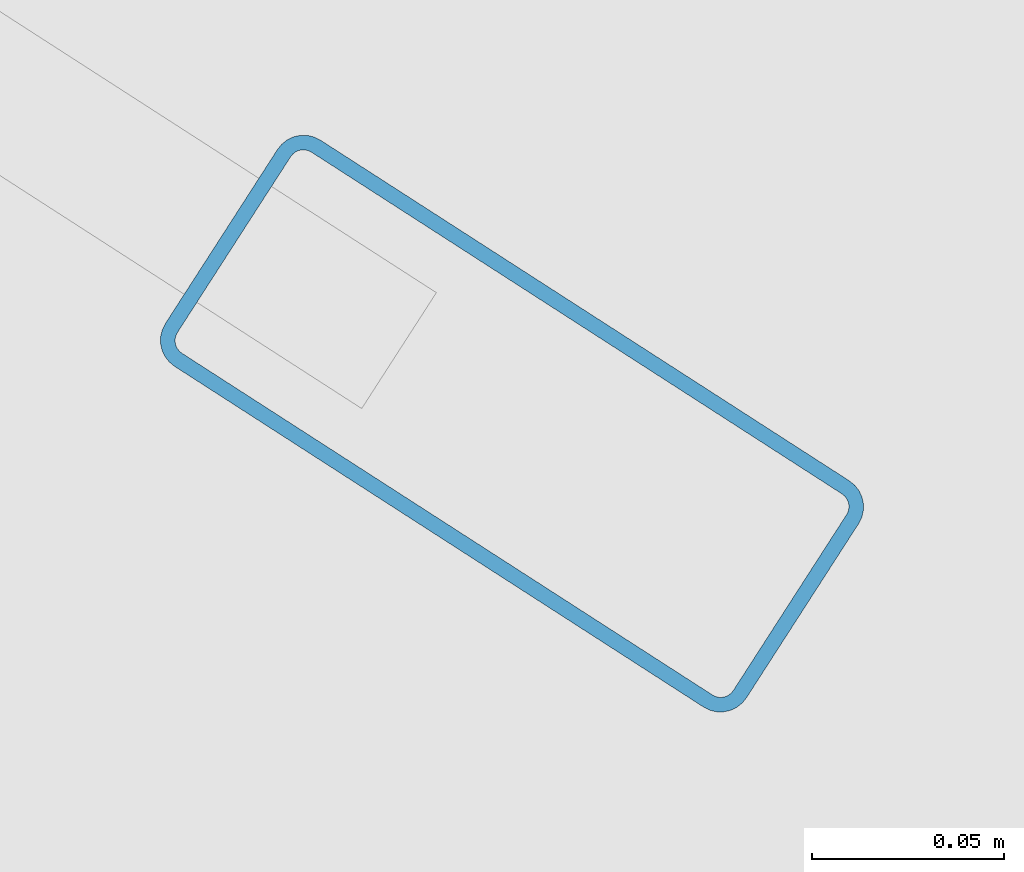
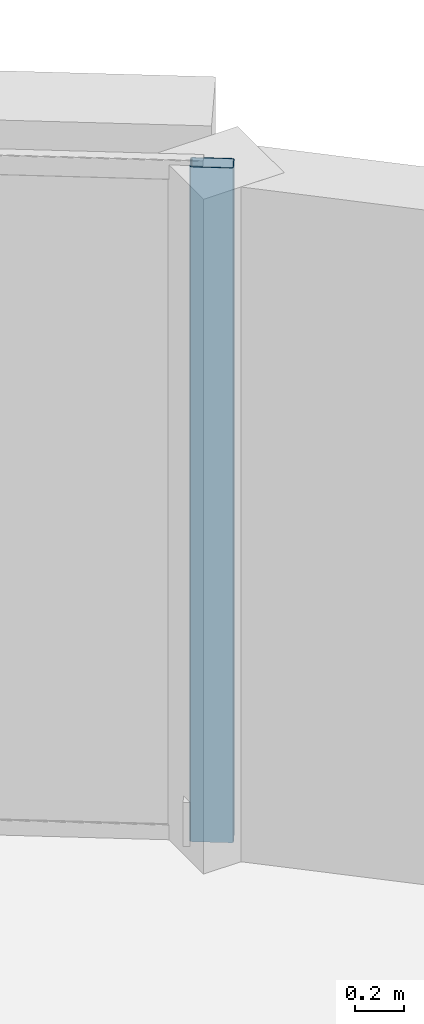
# One storey, part 5 of 15: 1 member, 1 element without a shape of its own.
"""IFC4 building model written with IfcOpenShell, lengths in metres."""

from ifc_helpers import new_model, si_unit, direction, frame, origin, origin_2d, place, context, subcontext, project, spatial, hollow_rectangle, extrude, material, layer, layer_set, material_profile, profile_set, type_object, element, aggregate, save


model = new_model("IFC4")

# Units and contexts
model_context = context("Model", 3, precision=1e-05, world=origin(), true_north=direction((0.0, 1.0)))
body_context = subcontext(model_context, "Body", "Model", "MODEL_VIEW")
ifc_project = project(units=[si_unit("LENGTHUNIT", "METRE"), si_unit("AREAUNIT", "SQUARE_METRE"), si_unit("VOLUMEUNIT", "CUBIC_METRE"), si_unit("PLANEANGLEUNIT", "RADIAN"), si_unit("MASSUNIT", "GRAM", prefix="KILO")], contexts=[model_context])

# Site, building, storey
site_placement = place(None, origin())
site = spatial("IfcSite", under=ifc_project, at=site_placement, CompositionType="ELEMENT")
building_placement = place(site_placement, origin())
building = spatial("IfcBuilding", under=site, at=building_placement, Name="An Khanh Terracotta Commons", CompositionType="ELEMENT")
storey_placement = place(building_placement, frame((0.0, 0.0, 187.0)))
storey = spatial("IfcBuildingStorey", under=building, at=storey_placement, Name="L49", CompositionType="ELEMENT", Elevation=187.0)

# Curtain wall, member
ifc_material = material(Name="Anodised Aluminium 6063-T6", Category="aluminium")
ifc_layer = layer(ifc_material, 0.2099609375, Name="Anodised Aluminium 6063-T6")
ifc_layer_set = layer_set([ifc_layer], Name="Anodised Aluminium 6063-T6")
curtain_wall_type = type_object("IfcCurtainWallType", Name="CW-SYS-03", PredefinedType="USERDEFINED", material=ifc_layer_set)
curtain_wall_placement = place(storey_placement, origin())
curtain_wall = element("IfcCurtainWall", 1, at=curtain_wall_placement, inside=storey, type_object=curtain_wall_type, Name="L49 CW-03 Unitised Curtain Wall CW-L49-16", ObjectType="UNITISED CURTAIN WALL", PredefinedType="USERDEFINED")
ifc_material_profile = material_profile(ifc_material, hollow_rectangle(XDim=0.070068359375, YDim=0.179931640625, WallThickness=0.00390625, InnerFilletRadius=0.00390625, OuterFilletRadius=0.008056640625, at=origin_2d()), Name="RHS180x70x4")
ifc_profile_set = profile_set([ifc_material_profile], Name="Anodised Aluminium 6063-T6")
member_type = type_object("IfcMemberType", Name="CWM-RHS180x70x4", PredefinedType="MULLION", material=ifc_profile_set)
member_placement = place(storey_placement, frame((60.448486328125, 35.843017578125, 0.0), z_axis=(0.0, 0.0, 1.0), x_axis=(-0.541497931062, -0.840702081986, 0.0)))
member = element("IfcMember", 2, at=member_placement, type_object=member_type, Name="CW-03 mullion 1", PredefinedType="MULLION", context=body_context, shape_type="SweptSolid", body=[
    extrude(hollow_rectangle(XDim=0.070068359375, YDim=0.179931640625, WallThickness=0.00390625, InnerFilletRadius=0.00390625, OuterFilletRadius=0.008056640625, at=origin_2d()), origin(), (0.0, 0.0, 1.0), 3.360107421875),
])
aggregate(curtain_wall, [member])

save(model, "model.ifc")
